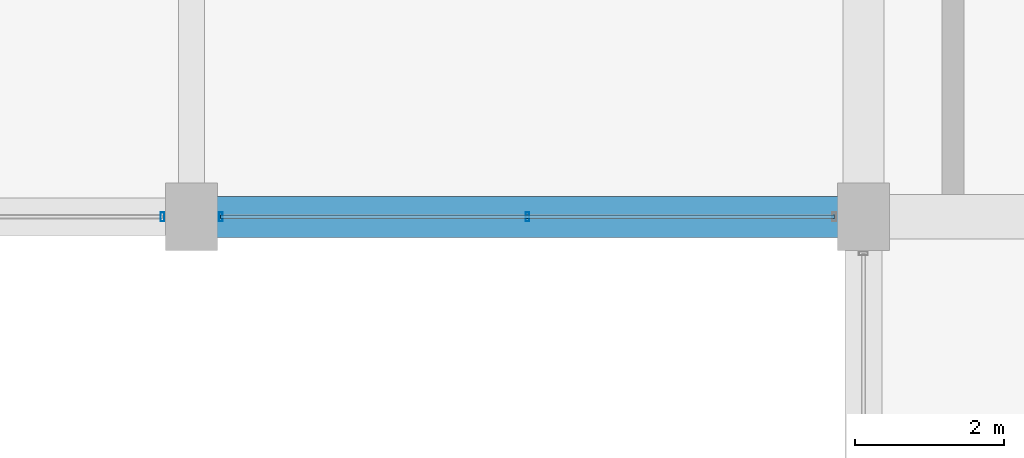
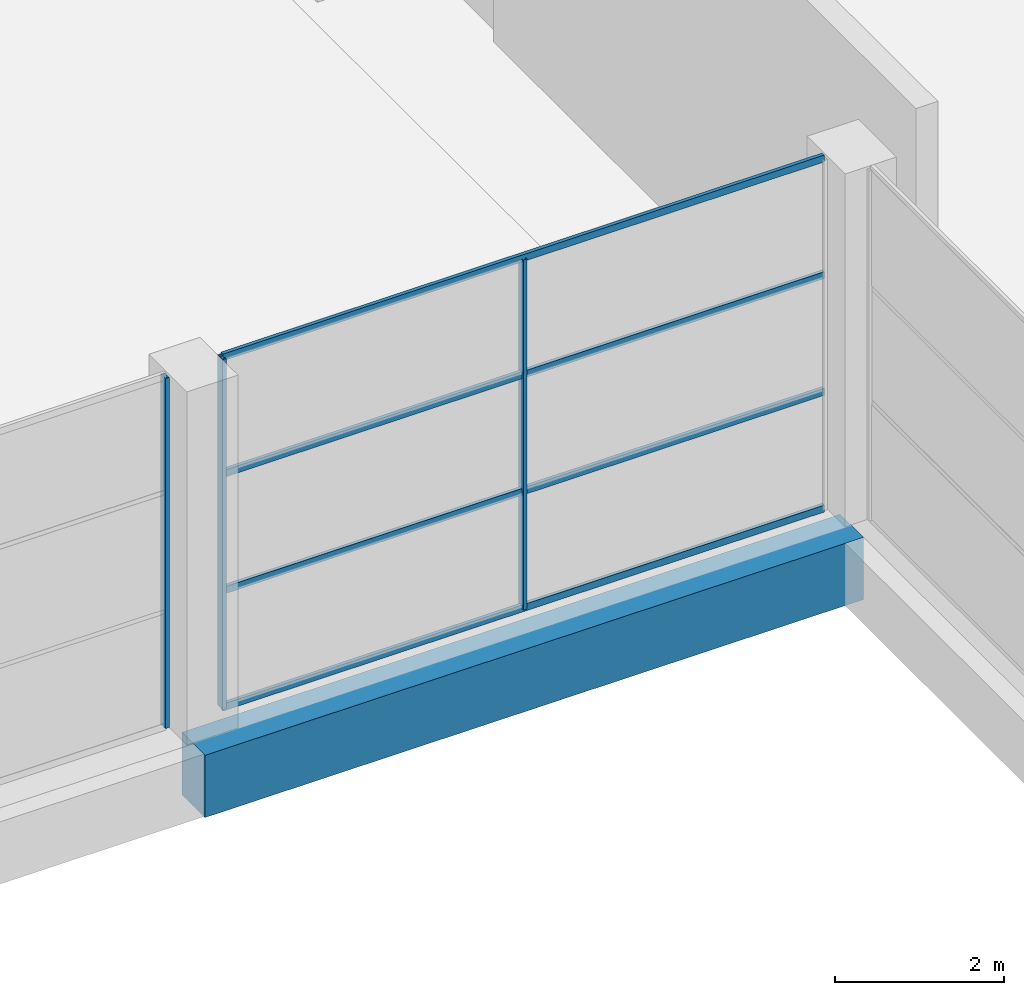
# One storey, part 53 of 90: 7 members, 1 beam, 2 elements without a shape of their own.
"""IFC4 building model written with IfcOpenShell, lengths in metres."""

from ifc_helpers import new_model, si_unit, direction, frame, origin, origin_2d, place, context, subcontext, project, spatial, rectangle, hollow_rectangle, extrude, material, material_profile, profile_set, type_object, element, aggregate, save


model = new_model("IFC4")

# Units and contexts
model_context = context("Model", 3, precision=1e-05, world=origin(), true_north=direction((0.0, 1.0)))
body_context = subcontext(model_context, "Body", "Model", "MODEL_VIEW")
ifc_project = project(units=[si_unit("LENGTHUNIT", "METRE"), si_unit("AREAUNIT", "SQUARE_METRE"), si_unit("VOLUMEUNIT", "CUBIC_METRE"), si_unit("PLANEANGLEUNIT", "RADIAN"), si_unit("MASSUNIT", "GRAM", prefix="KILO")], contexts=[model_context])

# Site, building, storey
site_placement = place(None, origin())
site = spatial("IfcSite", under=ifc_project, at=site_placement, CompositionType="ELEMENT")
building_placement = place(site_placement, origin())
building = spatial("IfcBuilding", under=site, at=building_placement, Name="Solvikara Media Centre", CompositionType="ELEMENT")
storey_placement = place(building_placement, origin())
storey = spatial("IfcBuildingStorey", under=building, at=storey_placement, Name="L00", CompositionType="ELEMENT", Elevation=0.0)

# Beam
ifc_material_1 = material(Name="Concrete fc' 45 MPa (C45/55)", Category="concrete")
ifc_material_profile_1 = material_profile(ifc_material_1, rectangle(XDim=0.550048828125, YDim=0.89990234375, at=origin_2d()), Name="RC 550x900")
ifc_profile_set_1 = profile_set([ifc_material_profile_1], Name="Concrete fc' 45 MPa (C45/55)")
beam_type = type_object("IfcBeamType", Name="BM-10", PredefinedType="BEAM", material=ifc_profile_set_1)
beam_placement = place(storey_placement, frame((145.5, 89.0, -0.830078125), z_axis=(1.0, 0.0, 0.0), x_axis=(0.0, 1.0, 0.0)))
element("IfcBeam", 1, at=beam_placement, inside=storey, type_object=beam_type, Name="B-L00-X0094", PredefinedType="BEAM", context=body_context, shape_type="SweptSolid", body=[
    extrude(rectangle(XDim=0.550048828125, YDim=0.89990234375, at=origin_2d()), origin(), (0.0, 0.0, 1.0), 9.0),
])

# Curtain wall, members
ifc_material_2 = material(Name="Anodised aluminium EN AW-6063", Category="aluminium")
curtain_wall_type = type_object("IfcCurtainWallType", Name="CW-12", PredefinedType="NOTDEFINED", material=ifc_material_2)
curtain_wall_1_placement = place(storey_placement, origin())
curtain_wall_1 = element("IfcCurtainWall", 2, at=curtain_wall_1_placement, inside=storey, type_object=curtain_wall_type, Name="CW-L00-CRT-3-S1", PredefinedType="NOTDEFINED")
ifc_material_profile_2 = material_profile(ifc_material_2, hollow_rectangle(XDim=0.050048828125, YDim=0.1201171875, WallThickness=0.0029296875, at=origin_2d()), Name="ALU-M 50x120x3")
ifc_profile_set_2 = profile_set([ifc_material_profile_2], Name="Anodised aluminium EN AW-6063")
member_type_1 = type_object("IfcMemberType", Name="MF-06", PredefinedType="MULLION", material=ifc_profile_set_2)
member_1_placement = place(storey_placement, frame((150.0, 89.0, 0.02001953125), z_axis=(0.0, 0.0, 1.0), x_axis=(-1.0, 0.0, 0.0)))
member_1 = element("IfcMember", 3, at=member_1_placement, type_object=member_type_1, Name="CW-L00-CRT-3-S1-M01", PredefinedType="MULLION", context=body_context, shape_type="SweptSolid", body=[
    extrude(hollow_rectangle(XDim=0.050048828125, YDim=0.1201171875, WallThickness=0.0029296875, at=origin_2d()), origin(), (0.0, 0.0, 1.0), 5.06005859375),
])
member_2_placement = place(storey_placement, frame((145.889892578125, 89.0, 0.02001953125), z_axis=(0.0, 0.0, 1.0), x_axis=(-1.0, 0.0, 0.0)))
member_2 = element("IfcMember", 4, at=member_2_placement, type_object=member_type_1, Name="CW-L00-CRT-3-S1-M02", PredefinedType="MULLION", context=body_context, shape_type="SweptSolid", body=[
    extrude(hollow_rectangle(XDim=0.050048828125, YDim=0.1201171875, WallThickness=0.0029296875, at=origin_2d()), origin(), (0.0, 0.0, 1.0), 5.06005859375),
])

# Curtain wall, member
curtain_wall_2_placement = place(storey_placement, origin())
curtain_wall_2 = element("IfcCurtainWall", 5, at=curtain_wall_2_placement, inside=storey, type_object=curtain_wall_type, Name="CW-L00-CRT-3-S2", PredefinedType="NOTDEFINED")
member_3_placement = place(storey_placement, frame((145.110107421875, 89.0, 0.02001953125), z_axis=(0.0, 0.0, 1.0), x_axis=(-1.0, 0.0, 0.0)))
member_3 = element("IfcMember", 6, at=member_3_placement, type_object=member_type_1, Name="CW-L00-CRT-3-S2-M00", PredefinedType="MULLION", context=body_context, shape_type="SweptSolid", body=[
    extrude(hollow_rectangle(XDim=0.050048828125, YDim=0.1201171875, WallThickness=0.0029296875, at=origin_2d()), origin(), (0.0, 0.0, 1.0), 5.06005859375),
])
aggregate(curtain_wall_2, [member_3])

# Member
ifc_material_profile_3 = material_profile(ifc_material_2, hollow_rectangle(XDim=0.050048828125, YDim=0.10009765625, WallThickness=0.0029296875, at=origin_2d()), Name="ALU-T 50x100x3")
ifc_profile_set_3 = profile_set([ifc_material_profile_3], Name="Anodised aluminium EN AW-6063")
member_type_2 = type_object("IfcMemberType", Name="MF-12", PredefinedType="USERDEFINED", material=ifc_profile_set_3)
member_4_placement = place(storey_placement, frame((154.110107421875, 89.0, 0.02001953125), z_axis=(-1.0, 0.0, 0.0), x_axis=(0.0, -1.0, 0.0)))
member_4 = element("IfcMember", 7, at=member_4_placement, type_object=member_type_2, Name="CW-L00-CRT-3-S1-T00", ObjectType="TRANSOM", PredefinedType="USERDEFINED", context=body_context, shape_type="SweptSolid", body=[
    extrude(hollow_rectangle(XDim=0.050048828125, YDim=0.10009765625, WallThickness=0.0029296875, at=origin_2d()), origin(), (0.0, 0.0, 1.0), 8.22021484375),
])

member_5_placement = place(storey_placement, frame((154.110107421875, 89.0, 1.70703125), z_axis=(-1.0, 0.0, 0.0), x_axis=(0.0, -1.0, 0.0)))
member_5 = element("IfcMember", 8, at=member_5_placement, type_object=member_type_2, Name="CW-L00-CRT-3-S1-T01", ObjectType="TRANSOM", PredefinedType="USERDEFINED", context=body_context, shape_type="SweptSolid", body=[
    extrude(hollow_rectangle(XDim=0.050048828125, YDim=0.10009765625, WallThickness=0.0029296875, at=origin_2d()), origin(), (0.0, 0.0, 1.0), 8.22021484375),
])

member_6_placement = place(storey_placement, frame((154.110107421875, 89.0, 3.39306640625), z_axis=(-1.0, 0.0, 0.0), x_axis=(0.0, -1.0, 0.0)))
member_6 = element("IfcMember", 9, at=member_6_placement, type_object=member_type_2, Name="CW-L00-CRT-3-S1-T02", ObjectType="TRANSOM", PredefinedType="USERDEFINED", context=body_context, shape_type="SweptSolid", body=[
    extrude(hollow_rectangle(XDim=0.050048828125, YDim=0.10009765625, WallThickness=0.0029296875, at=origin_2d()), origin(), (0.0, 0.0, 1.0), 8.22021484375),
])

member_7_placement = place(storey_placement, frame((154.110107421875, 89.0, 5.080078125), z_axis=(-1.0, 0.0, 0.0), x_axis=(0.0, -1.0, 0.0)))
member_7 = element("IfcMember", 10, at=member_7_placement, type_object=member_type_2, Name="CW-L00-CRT-3-S1-T03", ObjectType="TRANSOM", PredefinedType="USERDEFINED", context=body_context, shape_type="SweptSolid", body=[
    extrude(hollow_rectangle(XDim=0.050048828125, YDim=0.10009765625, WallThickness=0.0029296875, at=origin_2d()), origin(), (0.0, 0.0, 1.0), 8.22021484375),
])

aggregate(curtain_wall_1, [member_1, member_2, member_4, member_5, member_6, member_7])

save(model, "model.ifc")
